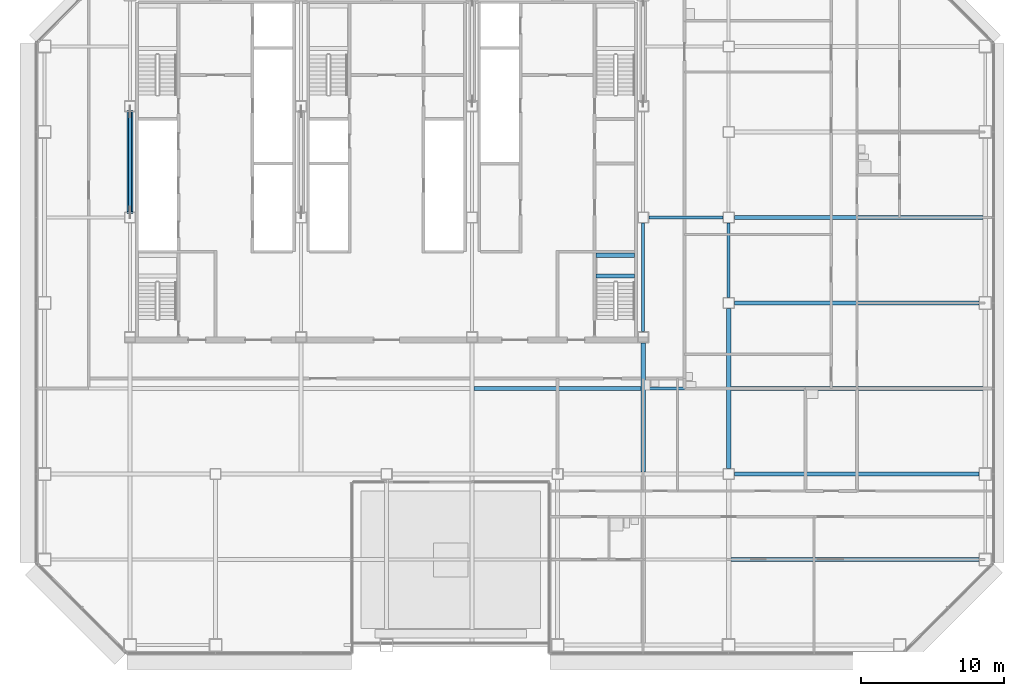
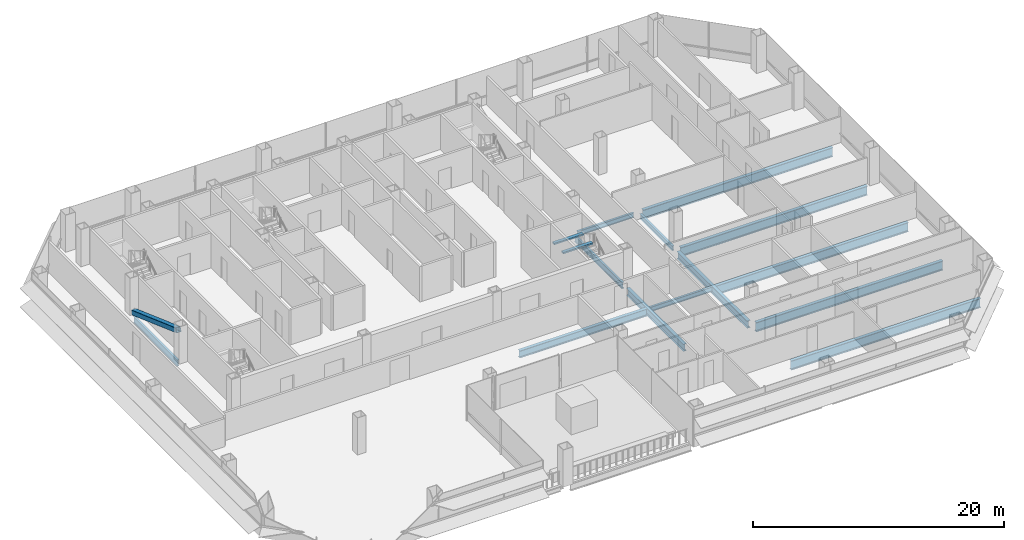
# One storey, part 10 of 27: 15 beams, 1 member.
"""IFC4 building model written with IfcOpenShell, lengths in metres."""

from ifc_helpers import new_model, si_unit, direction, frame, origin, origin_2d, place, context, subcontext, project, spatial, rectangle, hollow_rectangle, i_section, extrude, material, material_profile, profile_set, type_object, element, save


model = new_model("IFC4")

# Units and contexts
model_context = context("Model", 3, precision=1e-05, world=origin(), true_north=direction((0.0, 1.0)))
body_context = subcontext(model_context, "Body", "Model", "MODEL_VIEW")
ifc_project = project(units=[si_unit("LENGTHUNIT", "METRE"), si_unit("AREAUNIT", "SQUARE_METRE"), si_unit("VOLUMEUNIT", "CUBIC_METRE"), si_unit("PLANEANGLEUNIT", "RADIAN"), si_unit("MASSUNIT", "GRAM", prefix="KILO")], contexts=[model_context])

# Site, building, storey
site_placement = place(None, origin())
site = spatial("IfcSite", under=ifc_project, at=site_placement, CompositionType="ELEMENT")
building_placement = place(site_placement, origin())
building = spatial("IfcBuilding", under=site, at=building_placement, Name="Sorahane Residences", CompositionType="ELEMENT")
storey_placement = place(building_placement, frame((0.0, 0.0, 82.199951171875)))
storey = spatial("IfcBuildingStorey", under=building, at=storey_placement, Name="L17", CompositionType="ELEMENT", Elevation=82.199951171875)

# Member
ifc_material_1 = material(Name="Steel Q355B", Category="steel")
ifc_material_profile_1 = material_profile(ifc_material_1, hollow_rectangle(XDim=0.449951171875, YDim=0.449951171875, WallThickness=0.02197265625, InnerFilletRadius=0.010986328125, OuterFilletRadius=0.032958984375, at=origin_2d()), Name="RHS 450x450x22")
ifc_profile_set_1 = profile_set([ifc_material_profile_1], Name="Steel Q355B")
member_type = type_object("IfcMemberType", Name="Core brace RHS 450x450x22 Q355B", PredefinedType="BRACE", material=ifc_profile_set_1)
member_placement = place(storey_placement, frame((6.0, 37.44580078125, 0.20849609375), z_axis=(0.0, -0.940886586011, 0.338721762313), x_axis=(1.0, 0.0, 0.0)))
element("IfcMember", 1, at=member_placement, inside=storey, type_object=member_type, Name="Core brace L17 x6-2", PredefinedType="BRACE", context=body_context, shape_type="SweptSolid", body=[
    extrude(hollow_rectangle(XDim=0.449951171875, YDim=0.449951171875, WallThickness=0.02197265625, InnerFilletRadius=0.010986328125, OuterFilletRadius=0.032958984375, at=origin_2d()), origin(), (0.0, 0.0, 1.0), 7.537109375),
])

# Beams
ifc_material_2 = material(Name="Concrete C40", Category="concrete")
ifc_material_profile_2 = material_profile(ifc_material_2, rectangle(XDim=0.300048828125, YDim=0.139892578125, at=origin_2d()), Name="300x140")
ifc_profile_set_2 = profile_set([ifc_material_profile_2], Name="Concrete C40")
beam_type_1 = type_object("IfcBeamType", Name="RC landing beam 300 x 140 Concrete C40", PredefinedType="BEAM", material=ifc_profile_set_2)
for number, where, z_axis, x_axis, name in (
    (2, (38.699951171875, 25.89990234375, 1.530029296875), (1.0, 0.0, 0.0), (0.0, 1.0, 0.0), "Landing beam"),
    (3, (38.699951171875, 27.35009765625, 1.530029296875), (1.0, 0.0, 0.0), (0.0, 1.0, 0.0), "Landing beam"),
):
    element("IfcBeam", number, at=place(storey_placement, frame(where, z_axis=z_axis, x_axis=x_axis)), inside=storey, type_object=beam_type_1, Name=name, PredefinedType="BEAM", context=body_context, shape_type="SweptSolid", body=[
        extrude(rectangle(XDim=0.300048828125, YDim=0.139892578125, at=origin_2d()), origin(), (0.0, 0.0, 1.0), 2.699951171875),
    ])
ifc_material_3 = material(Name="Steel Q355B", Category="steel")
ifc_material_profile_3 = material_profile(ifc_material_3, i_section(OverallWidth=0.199951171875, OverallDepth=0.449951171875, WebThickness=0.009033203125, FlangeThickness=0.013916015625, FilletRadius=0.02001953125, at=origin_2d()), Name="HN 450x200x9x14")
ifc_profile_set_3 = profile_set([ifc_material_profile_3], Name="Steel Q355B")
beam_type_2 = type_object("IfcBeamType", Name="Steel floor beam HN 450x200x9x14 Q355B", PredefinedType="BEAM", material=ifc_profile_set_3)
beam_1_placement = place(storey_placement, frame((48.0, 24.39990234375, -0.405029296875), z_axis=(0.0, 1.0, 0.0), x_axis=(-1.0, 0.0, 0.0)))
element("IfcBeam", 4, at=beam_1_placement, inside=storey, type_object=beam_type_2, Name="Beam L17 052", PredefinedType="BEAM", context=body_context, shape_type="SweptSolid", body=[
    extrude(i_section(OverallWidth=0.199951171875, OverallDepth=0.449951171875, WebThickness=0.009033203125, FlangeThickness=0.013916015625, FilletRadius=0.02001953125, at=origin_2d()), origin(), (0.0, 0.0, 1.0), 5.2001953125),
])
beam_2_placement = place(storey_placement, frame((42.14990234375, 18.0, -0.405029296875), z_axis=(1.0, 0.0, 0.0), x_axis=(0.0, 1.0, 0.0)))
element("IfcBeam", 5, at=beam_2_placement, inside=storey, type_object=beam_type_2, Name="Beam L17 072", PredefinedType="BEAM", context=body_context, shape_type="SweptSolid", body=[
    extrude(i_section(OverallWidth=0.199951171875, OverallDepth=0.449951171875, WebThickness=0.009033203125, FlangeThickness=0.013916015625, FilletRadius=0.02001953125, at=origin_2d()), origin(), (0.0, 0.0, 1.0), 5.7001953125),
])
beam_3_placement = place(storey_placement, frame((42.39990234375, 30.0, -0.405029296875), z_axis=(1.0, 0.0, 0.0), x_axis=(0.0, 1.0, 0.0)))
element("IfcBeam", 6, at=beam_3_placement, inside=storey, type_object=beam_type_2, Name="Beam L17 075", PredefinedType="BEAM", context=body_context, shape_type="SweptSolid", body=[
    extrude(i_section(OverallWidth=0.199951171875, OverallDepth=0.449951171875, WebThickness=0.009033203125, FlangeThickness=0.013916015625, FilletRadius=0.02001953125, at=origin_2d()), origin(), (0.0, 0.0, 1.0), 5.2001953125),
])
ifc_material_4 = material(Name="Steel Q355B", Category="steel")
ifc_material_profile_4 = material_profile(ifc_material_4, i_section(OverallWidth=0.199951171875, OverallDepth=0.60009765625, WebThickness=0.010986328125, FlangeThickness=0.01708984375, FilletRadius=0.02392578125, at=origin_2d()), Name="HN 600x200x11x17")
ifc_profile_set_4 = profile_set([ifc_material_profile_4], Name="Steel Q355B")
beam_type_3 = type_object("IfcBeamType", Name="Steel floor beam HN 600x200x11x17 Q355B", PredefinedType="BEAM", material=ifc_profile_set_4)
beam_4_placement = place(storey_placement, frame((6.0, 30.39990234375, -0.47998046875), z_axis=(0.0, 1.0, 0.0), x_axis=(-1.0, 0.0, 0.0)))
element("IfcBeam", 7, at=beam_4_placement, inside=storey, type_object=beam_type_3, Name="Beam L17 024", PredefinedType="BEAM", context=body_context, shape_type="SweptSolid", body=[
    extrude(i_section(OverallWidth=0.199951171875, OverallDepth=0.60009765625, WebThickness=0.010986328125, FlangeThickness=0.01708984375, FilletRadius=0.02392578125, at=origin_2d()), origin(), (0.0, 0.0, 1.0), 7.0),
])
beam_5_placement = place(storey_placement, frame((42.0, 22.0, -0.47998046875), z_axis=(0.0, 1.0, 0.0), x_axis=(-1.0, 0.0, 0.0)))
element("IfcBeam", 8, at=beam_5_placement, inside=storey, type_object=beam_type_3, Name="Beam L17 046", PredefinedType="BEAM", context=body_context, shape_type="SweptSolid", body=[
    extrude(i_section(OverallWidth=0.199951171875, OverallDepth=0.60009765625, WebThickness=0.010986328125, FlangeThickness=0.01708984375, FilletRadius=0.02392578125, at=origin_2d()), origin(), (0.0, 0.0, 1.0), 7.60009765625),
])
ifc_material_5 = material(Name="Steel Q355B", Category="steel")
ifc_material_profile_5 = material_profile(ifc_material_5, i_section(OverallWidth=0.300048828125, OverallDepth=0.699951171875, WebThickness=0.012939453125, FlangeThickness=0.02392578125, FilletRadius=0.028076171875, at=origin_2d()), Name="HN 700x300x13x24")
ifc_profile_set_5 = profile_set([ifc_material_profile_5], Name="Steel Q355B")
beam_type_4 = type_object("IfcBeamType", Name="Steel floor beam HN 700x300x13x24 Q355B", PredefinedType="BEAM", material=ifc_profile_set_5)
beam_6_placement = place(storey_placement, frame((42.0, 12.14990234375, -0.530029296875), z_axis=(0.0, 1.0, 0.0), x_axis=(-1.0, 0.0, 0.0)))
element("IfcBeam", 9, at=beam_6_placement, inside=storey, type_object=beam_type_4, Name="Beam L17 045", PredefinedType="BEAM", context=body_context, shape_type="SweptSolid", body=[
    extrude(i_section(OverallWidth=0.300048828125, OverallDepth=0.699951171875, WebThickness=0.012939453125, FlangeThickness=0.02392578125, FilletRadius=0.028076171875, at=origin_2d()), origin(), (0.0, 0.0, 1.0), 9.050048828125),
])
beam_7_placement = place(storey_placement, frame((48.0, 12.39990234375, -0.530029296875), z_axis=(0.0, 1.0, 0.0), x_axis=(-1.0, 0.0, 0.0)))
element("IfcBeam", 10, at=beam_7_placement, inside=storey, type_object=beam_type_4, Name="Beam L17 051", PredefinedType="BEAM", context=body_context, shape_type="SweptSolid", body=[
    extrude(i_section(OverallWidth=0.300048828125, OverallDepth=0.699951171875, WebThickness=0.012939453125, FlangeThickness=0.02392578125, FilletRadius=0.028076171875, at=origin_2d()), origin(), (0.0, 0.0, 1.0), 11.2001953125),
])
beam_8_placement = place(storey_placement, frame((30.14990234375, 18.0, -0.530029296875), z_axis=(1.0, 0.0, 0.0), x_axis=(0.0, 1.0, 0.0)))
element("IfcBeam", 11, at=beam_8_placement, inside=storey, type_object=beam_type_4, Name="Beam L17 071", PredefinedType="BEAM", context=body_context, shape_type="SweptSolid", body=[
    extrude(i_section(OverallWidth=0.300048828125, OverallDepth=0.699951171875, WebThickness=0.012939453125, FlangeThickness=0.02392578125, FilletRadius=0.028076171875, at=origin_2d()), origin(), (0.0, 0.0, 1.0), 11.7001953125),
])
ifc_material_6 = material(Name="Steel Q355B", Category="steel")
ifc_material_profile_6 = material_profile(ifc_material_6, i_section(OverallWidth=0.300048828125, OverallDepth=0.89990234375, WebThickness=0.01611328125, FlangeThickness=0.028076171875, FilletRadius=0.028076171875, at=origin_2d()), Name="HN 900x300x16x28")
ifc_profile_set_6 = profile_set([ifc_material_profile_6], Name="Steel Q355B")
beam_type_5 = type_object("IfcBeamType", Name="Steel floor beam HN 900x300x16x28 Q355B", PredefinedType="BEAM", material=ifc_profile_set_6)
for number, where, z_axis, x_axis, name in (
    (12, (48.39990234375, 12.0, -0.6298828125), (1.0, 0.0, 0.0), (0.0, 1.0, 0.0), "Beam L17 009"),
    (13, (48.39990234375, 24.0, -0.6298828125), (1.0, 0.0, 0.0), (0.0, 1.0, 0.0), "Beam L17 010"),
):
    element("IfcBeam", number, at=place(storey_placement, frame(where, z_axis=z_axis, x_axis=x_axis)), inside=storey, type_object=beam_type_5, Name=name, PredefinedType="BEAM", context=body_context, shape_type="SweptSolid", body=[
        extrude(i_section(OverallWidth=0.300048828125, OverallDepth=0.89990234375, WebThickness=0.01611328125, FlangeThickness=0.028076171875, FilletRadius=0.028076171875, at=origin_2d()), origin(), (0.0, 0.0, 1.0), 17.150146484375),
    ])
beam_9_placement = place(storey_placement, frame((48.14990234375, 6.0, -0.6298828125), z_axis=(1.0, 0.0, 0.0), x_axis=(0.0, 1.0, 0.0)))
element("IfcBeam", 14, at=beam_9_placement, inside=storey, type_object=beam_type_5, Name="Beam L17 067", PredefinedType="BEAM", context=body_context, shape_type="SweptSolid", body=[
    extrude(i_section(OverallWidth=0.300048828125, OverallDepth=0.89990234375, WebThickness=0.01611328125, FlangeThickness=0.028076171875, FilletRadius=0.028076171875, at=origin_2d()), origin(), (0.0, 0.0, 1.0), 17.400146484375),
])
beam_10_placement = place(storey_placement, frame((48.14990234375, 18.0, -0.6298828125), z_axis=(1.0, 0.0, 0.0), x_axis=(0.0, 1.0, 0.0)))
element("IfcBeam", 15, at=beam_10_placement, inside=storey, type_object=beam_type_5, Name="Beam L17 073", PredefinedType="BEAM", context=body_context, shape_type="SweptSolid", body=[
    extrude(i_section(OverallWidth=0.300048828125, OverallDepth=0.89990234375, WebThickness=0.01611328125, FlangeThickness=0.028076171875, FilletRadius=0.028076171875, at=origin_2d()), origin(), (0.0, 0.0, 1.0), 17.7001953125),
])
beam_11_placement = place(storey_placement, frame((48.39990234375, 30.0, -0.6298828125), z_axis=(1.0, 0.0, 0.0), x_axis=(0.0, 1.0, 0.0)))
element("IfcBeam", 16, at=beam_11_placement, inside=storey, type_object=beam_type_5, Name="Beam L17 076", PredefinedType="BEAM", context=body_context, shape_type="SweptSolid", body=[
    extrude(i_section(OverallWidth=0.300048828125, OverallDepth=0.89990234375, WebThickness=0.01611328125, FlangeThickness=0.028076171875, FilletRadius=0.028076171875, at=origin_2d()), origin(), (0.0, 0.0, 1.0), 17.4501953125),
])

save(model, "model.ifc")
